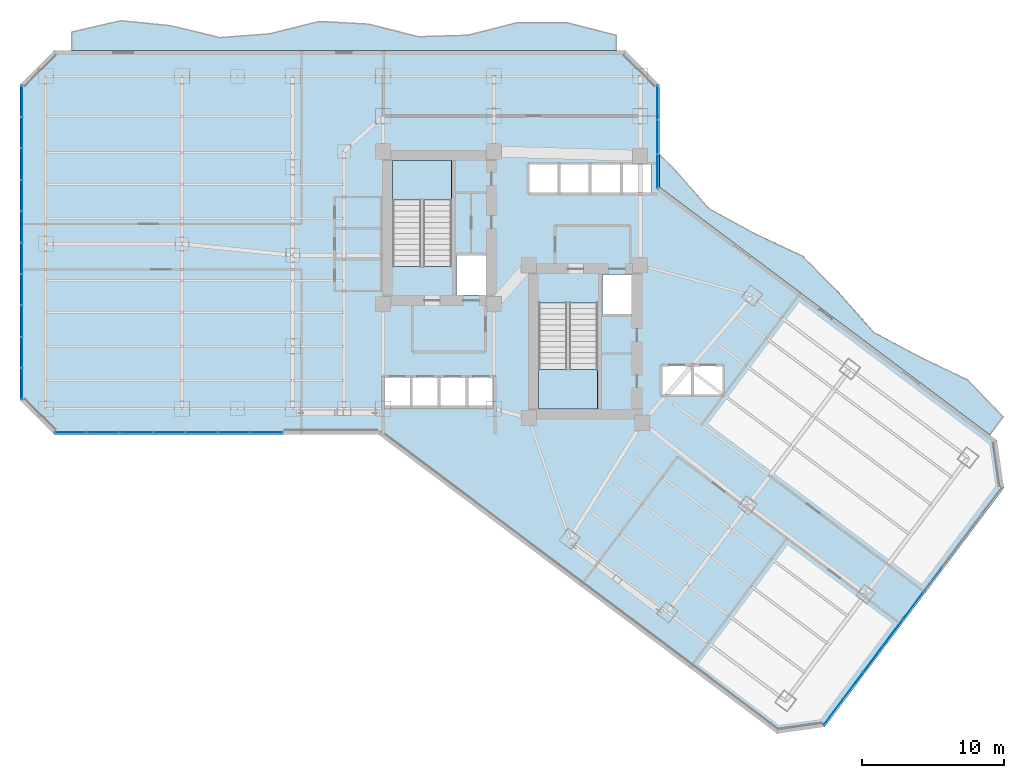
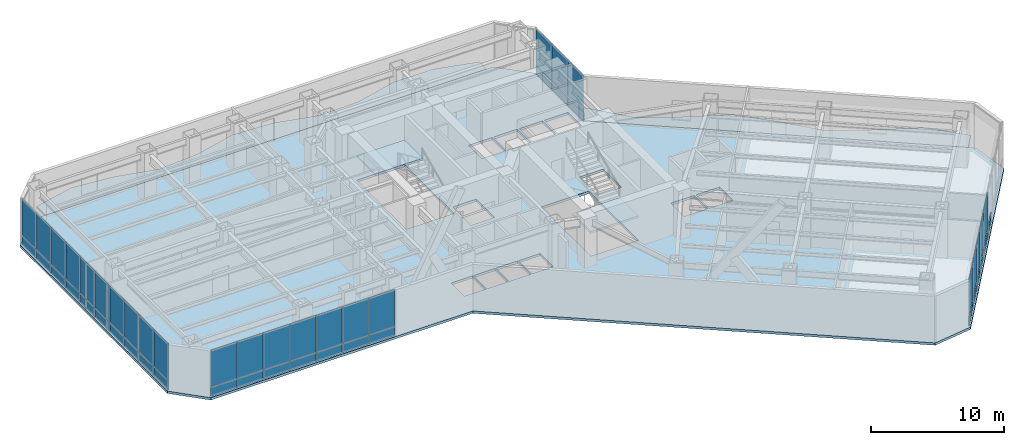
# One storey, part 18 of 29: 51 plates, 5 slabs, 6 elements without a shape of their own.
"""IFC4 building model written with IfcOpenShell, lengths in metres."""

from ifc_helpers import new_model, si_unit, direction, frame, origin, origin_2d, place, context, subcontext, project, spatial, polyline, rectangle, outline, extrude, material, layer, layer_set, type_object, element, aggregate, save


model = new_model("IFC4")

# Units and contexts
model_context = context("Model", 3, precision=1e-05, world=origin(), true_north=direction((0.0, 1.0)))
body_context = subcontext(model_context, "Body", "Model", "MODEL_VIEW")
ifc_project = project(units=[si_unit("LENGTHUNIT", "METRE"), si_unit("AREAUNIT", "SQUARE_METRE"), si_unit("VOLUMEUNIT", "CUBIC_METRE"), si_unit("PLANEANGLEUNIT", "RADIAN"), si_unit("MASSUNIT", "GRAM", prefix="KILO")], contexts=[model_context])

# Site, building, storey
site_placement = place(None, origin())
site = spatial("IfcSite", under=ifc_project, at=site_placement, CompositionType="ELEMENT")
building_placement = place(site_placement, origin())
building = spatial("IfcBuilding", under=site, at=building_placement, Name="Hatsunagi Terrace Concourse", CompositionType="ELEMENT")
storey_placement = place(building_placement, frame((0.0, 0.0, 32.10009765625)))
storey = spatial("IfcBuildingStorey", under=building, at=storey_placement, Name="L07", CompositionType="ELEMENT", Elevation=32.10009765625)

# Curtain wall, plates
ifc_material_1 = material(Name="Anodised Aluminium Alloy 6063-T5", Category="aluminium")
ifc_layer_1 = layer(ifc_material_1, 0.199951171875)
ifc_layer_set_1 = layer_set([ifc_layer_1], Name="SkyLobbyAtrium_CW05")
curtain_wall_type = type_object("IfcCurtainWallType", Name="SkyLobbyAtrium_CW05", PredefinedType="NOTDEFINED", material=ifc_layer_set_1)
curtain_wall_1_placement = place(storey_placement, origin())
curtain_wall_1 = element("IfcCurtainWall", 1, at=curtain_wall_1_placement, inside=storey, type_object=curtain_wall_type, Name="Unitised Curtain Wall CW-05 CW-L07-03", PredefinedType="NOTDEFINED")
ifc_material_2 = material(Name="Warm Terracotta Ceramic Spandrel Panel", Category="masonry")
ifc_layer_2 = layer(ifc_material_2, 0.031982421875)
ifc_layer_set_2 = layer_set([ifc_layer_2], Name="CurtainWallSpandrelPanel_32")
plate_type_1 = type_object("IfcPlateType", Name="CurtainWallSpandrelPanel_32", PredefinedType="SHEET", material=ifc_layer_set_2)
plate_1_placement = place(storey_placement, frame((64.219970703125, 13.159912109375, 0.02978515625), z_axis=(0.0, 0.0, 1.0), x_axis=(-0.599969314634, -0.800023013105, 0.0)))
plate_1 = element("IfcPlate", 2, at=plate_1_placement, type_object=plate_type_1, Name="Terracotta Spandrel Panel SPN-01", PredefinedType="SHEET", context=body_context, shape_type="SweptSolid", body=[
    extrude(rectangle(XDim=2.264892578125, YDim=0.031982421875, at=origin_2d()), origin(), (0.0, 0.0, 1.0), 0.7900390625),
])
plate_2_placement = place(storey_placement, frame((62.827880859375, 11.303955078125, 0.02978515625), z_axis=(0.0, 0.0, 1.0), x_axis=(-0.599969314634, -0.800023013105, 0.0)))
plate_2 = element("IfcPlate", 3, at=plate_2_placement, type_object=plate_type_1, Name="Terracotta Spandrel Panel SPN-01", PredefinedType="SHEET", context=body_context, shape_type="SweptSolid", body=[
    extrude(rectangle(XDim=2.264892578125, YDim=0.031982421875, at=origin_2d()), origin(), (0.0, 0.0, 1.0), 0.7900390625),
])
plate_3_placement = place(storey_placement, frame((61.43603515625, 9.447998046875, 0.02978515625), z_axis=(0.0, 0.0, 1.0), x_axis=(-0.599969314634, -0.800023013105, 0.0)))
plate_3 = element("IfcPlate", 4, at=plate_3_placement, type_object=plate_type_1, Name="Terracotta Spandrel Panel SPN-01", PredefinedType="SHEET", context=body_context, shape_type="SweptSolid", body=[
    extrude(rectangle(XDim=2.264892578125, YDim=0.031982421875, at=origin_2d()), origin(), (0.0, 0.0, 1.0), 0.7900390625),
])
plate_4_placement = place(storey_placement, frame((60.0439453125, 7.591064453125, 0.02978515625), z_axis=(0.0, 0.0, 1.0), x_axis=(-0.599969314634, -0.800023013105, 0.0)))
plate_4 = element("IfcPlate", 5, at=plate_4_placement, type_object=plate_type_1, Name="Terracotta Spandrel Panel SPN-01", PredefinedType="SHEET", context=body_context, shape_type="SweptSolid", body=[
    extrude(rectangle(XDim=2.264892578125, YDim=0.031982421875, at=origin_2d()), origin(), (0.0, 0.0, 1.0), 0.7900390625),
])
plate_5_placement = place(storey_placement, frame((58.65087890625, 5.735107421875, 0.02978515625), z_axis=(0.0, 0.0, 1.0), x_axis=(-0.599969314634, -0.800023013105, 0.0)))
plate_5 = element("IfcPlate", 6, at=plate_5_placement, type_object=plate_type_1, Name="Terracotta Spandrel Panel SPN-01", PredefinedType="SHEET", context=body_context, shape_type="SweptSolid", body=[
    extrude(rectangle(XDim=2.264892578125, YDim=0.031982421875, at=origin_2d()), origin(), (0.0, 0.0, 1.0), 0.7900390625),
])
plate_6_placement = place(storey_placement, frame((57.259033203125, 3.8779296875, 0.02978515625), z_axis=(0.0, 0.0, 1.0), x_axis=(-0.599969314634, -0.800023013105, 0.0)))
plate_6 = element("IfcPlate", 7, at=plate_6_placement, type_object=plate_type_1, Name="Terracotta Spandrel Panel SPN-01", PredefinedType="SHEET", context=body_context, shape_type="SweptSolid", body=[
    extrude(rectangle(XDim=2.264892578125, YDim=0.031982421875, at=origin_2d()), origin(), (0.0, 0.0, 1.0), 0.7900390625),
])

curtain_wall_2_placement = place(storey_placement, origin())
curtain_wall_2 = element("IfcCurtainWall", 8, at=curtain_wall_2_placement, inside=storey, type_object=curtain_wall_type, Name="Unitised Curtain Wall CW-05 CW-L07-07", PredefinedType="NOTDEFINED")
plate_7_placement = place(storey_placement, frame((17.35400390625, 23.5400390625, 0.02978515625), z_axis=(0.0, 0.0, 1.0), x_axis=(-1.0, 0.0, 0.0)))
plate_7 = element("IfcPlate", 9, at=plate_7_placement, type_object=plate_type_1, Name="Terracotta Spandrel Panel SPN-01", PredefinedType="SHEET", context=body_context, shape_type="SweptSolid", body=[
    extrude(rectangle(XDim=2.237060546875, YDim=0.031982421875, at=origin_2d()), origin(), (0.0, 0.0, 1.0), 0.7900390625),
])
plate_8_placement = place(storey_placement, frame((15.06201171875, 23.5400390625, 0.02978515625), z_axis=(0.0, 0.0, 1.0), x_axis=(-1.0, 0.0, 0.0)))
plate_8 = element("IfcPlate", 10, at=plate_8_placement, type_object=plate_type_1, Name="Terracotta Spandrel Panel SPN-01", PredefinedType="SHEET", context=body_context, shape_type="SweptSolid", body=[
    extrude(rectangle(XDim=2.237060546875, YDim=0.031982421875, at=origin_2d()), origin(), (0.0, 0.0, 1.0), 0.7900390625),
])
plate_9_placement = place(storey_placement, frame((12.77099609375, 23.5400390625, 0.02978515625), z_axis=(0.0, 0.0, 1.0), x_axis=(-1.0, 0.0, 0.0)))
plate_9 = element("IfcPlate", 11, at=plate_9_placement, type_object=plate_type_1, Name="Terracotta Spandrel Panel SPN-01", PredefinedType="SHEET", context=body_context, shape_type="SweptSolid", body=[
    extrude(rectangle(XDim=2.237060546875, YDim=0.031982421875, at=origin_2d()), origin(), (0.0, 0.0, 1.0), 0.7900390625),
])
plate_10_placement = place(storey_placement, frame((10.47900390625, 23.5400390625, 0.02978515625), z_axis=(0.0, 0.0, 1.0), x_axis=(-1.0, 0.0, 0.0)))
plate_10 = element("IfcPlate", 12, at=plate_10_placement, type_object=plate_type_1, Name="Terracotta Spandrel Panel SPN-01", PredefinedType="SHEET", context=body_context, shape_type="SweptSolid", body=[
    extrude(rectangle(XDim=2.237060546875, YDim=0.031982421875, at=origin_2d()), origin(), (0.0, 0.0, 1.0), 0.7900390625),
])
plate_11_placement = place(storey_placement, frame((8.18701171875, 23.5400390625, 0.02978515625), z_axis=(0.0, 0.0, 1.0), x_axis=(-1.0, 0.0, 0.0)))
plate_11 = element("IfcPlate", 13, at=plate_11_placement, type_object=plate_type_1, Name="Terracotta Spandrel Panel SPN-01", PredefinedType="SHEET", context=body_context, shape_type="SweptSolid", body=[
    extrude(rectangle(XDim=2.237060546875, YDim=0.031982421875, at=origin_2d()), origin(), (0.0, 0.0, 1.0), 0.7900390625),
])
plate_12_placement = place(storey_placement, frame((5.89599609375, 23.5400390625, 0.02978515625), z_axis=(0.0, 0.0, 1.0), x_axis=(-1.0, 0.0, 0.0)))
plate_12 = element("IfcPlate", 14, at=plate_12_placement, type_object=plate_type_1, Name="Terracotta Spandrel Panel SPN-01", PredefinedType="SHEET", context=body_context, shape_type="SweptSolid", body=[
    extrude(rectangle(XDim=2.237060546875, YDim=0.031982421875, at=origin_2d()), origin(), (0.0, 0.0, 1.0), 0.7900390625),
])
plate_13_placement = place(storey_placement, frame((3.60400390625, 23.5400390625, 0.02978515625), z_axis=(0.0, 0.0, 1.0), x_axis=(-1.0, 0.0, 0.0)))
plate_13 = element("IfcPlate", 15, at=plate_13_placement, type_object=plate_type_1, Name="Terracotta Spandrel Panel SPN-01", PredefinedType="SHEET", context=body_context, shape_type="SweptSolid", body=[
    extrude(rectangle(XDim=2.237060546875, YDim=0.031982421875, at=origin_2d()), origin(), (0.0, 0.0, 1.0), 0.7900390625),
])

curtain_wall_3_placement = place(storey_placement, origin())
curtain_wall_3 = element("IfcCurtainWall", 16, at=curtain_wall_3_placement, inside=storey, type_object=curtain_wall_type, Name="Unitised Curtain Wall CW-05 CW-L07-09", PredefinedType="NOTDEFINED")
plate_14_placement = place(storey_placement, frame((0.139892578125, 26.9619140625, 0.02978515625), z_axis=(0.0, 0.0, 1.0), x_axis=(0.0, 1.0, 0.0)))
plate_14 = element("IfcPlate", 17, at=plate_14_placement, type_object=plate_type_1, Name="Terracotta Spandrel Panel SPN-01", PredefinedType="SHEET", context=body_context, shape_type="SweptSolid", body=[
    extrude(rectangle(XDim=2.153076171875, YDim=0.031982421875, at=origin_2d()), origin(), (0.0, 0.0, 1.0), 0.7900390625),
])
plate_15_placement = place(storey_placement, frame((0.139892578125, 29.1708984375, 0.02978515625), z_axis=(0.0, 0.0, 1.0), x_axis=(0.0, 1.0, 0.0)))
plate_15 = element("IfcPlate", 18, at=plate_15_placement, type_object=plate_type_1, Name="Terracotta Spandrel Panel SPN-01", PredefinedType="SHEET", context=body_context, shape_type="SweptSolid", body=[
    extrude(rectangle(XDim=2.153076171875, YDim=0.031982421875, at=origin_2d()), origin(), (0.0, 0.0, 1.0), 0.7900390625),
])
plate_16_placement = place(storey_placement, frame((0.139892578125, 31.37890625, 0.02978515625), z_axis=(0.0, 0.0, 1.0), x_axis=(0.0, 1.0, 0.0)))
plate_16 = element("IfcPlate", 19, at=plate_16_placement, type_object=plate_type_1, Name="Terracotta Spandrel Panel SPN-01", PredefinedType="SHEET", context=body_context, shape_type="SweptSolid", body=[
    extrude(rectangle(XDim=2.153076171875, YDim=0.031982421875, at=origin_2d()), origin(), (0.0, 0.0, 1.0), 0.7900390625),
])
plate_17_placement = place(storey_placement, frame((0.139892578125, 33.5869140625, 0.02978515625), z_axis=(0.0, 0.0, 1.0), x_axis=(0.0, 1.0, 0.0)))
plate_17 = element("IfcPlate", 20, at=plate_17_placement, type_object=plate_type_1, Name="Terracotta Spandrel Panel SPN-01", PredefinedType="SHEET", context=body_context, shape_type="SweptSolid", body=[
    extrude(rectangle(XDim=2.153076171875, YDim=0.031982421875, at=origin_2d()), origin(), (0.0, 0.0, 1.0), 0.7900390625),
])
plate_18_placement = place(storey_placement, frame((0.139892578125, 35.7958984375, 0.02978515625), z_axis=(0.0, 0.0, 1.0), x_axis=(0.0, 1.0, 0.0)))
plate_18 = element("IfcPlate", 21, at=plate_18_placement, type_object=plate_type_1, Name="Terracotta Spandrel Panel SPN-01", PredefinedType="SHEET", context=body_context, shape_type="SweptSolid", body=[
    extrude(rectangle(XDim=2.153076171875, YDim=0.031982421875, at=origin_2d()), origin(), (0.0, 0.0, 1.0), 0.7900390625),
])
plate_19_placement = place(storey_placement, frame((0.139892578125, 38.00390625, 0.02978515625), z_axis=(0.0, 0.0, 1.0), x_axis=(0.0, 1.0, 0.0)))
plate_19 = element("IfcPlate", 22, at=plate_19_placement, type_object=plate_type_1, Name="Terracotta Spandrel Panel SPN-01", PredefinedType="SHEET", context=body_context, shape_type="SweptSolid", body=[
    extrude(rectangle(XDim=2.153076171875, YDim=0.031982421875, at=origin_2d()), origin(), (0.0, 0.0, 1.0), 0.7900390625),
])
plate_20_placement = place(storey_placement, frame((0.139892578125, 40.212890625, 0.02978515625), z_axis=(0.0, 0.0, 1.0), x_axis=(0.0, 1.0, 0.0)))
plate_20 = element("IfcPlate", 23, at=plate_20_placement, type_object=plate_type_1, Name="Terracotta Spandrel Panel SPN-01", PredefinedType="SHEET", context=body_context, shape_type="SweptSolid", body=[
    extrude(rectangle(XDim=2.153076171875, YDim=0.031982421875, at=origin_2d()), origin(), (0.0, 0.0, 1.0), 0.7900390625),
])
plate_21_placement = place(storey_placement, frame((0.139892578125, 42.4208984375, 0.02978515625), z_axis=(0.0, 0.0, 1.0), x_axis=(0.0, 1.0, 0.0)))
plate_21 = element("IfcPlate", 24, at=plate_21_placement, type_object=plate_type_1, Name="Terracotta Spandrel Panel SPN-01", PredefinedType="SHEET", context=body_context, shape_type="SweptSolid", body=[
    extrude(rectangle(XDim=2.153076171875, YDim=0.031982421875, at=origin_2d()), origin(), (0.0, 0.0, 1.0), 0.7900390625),
])
plate_22_placement = place(storey_placement, frame((0.139892578125, 44.62890625, 0.02978515625), z_axis=(0.0, 0.0, 1.0), x_axis=(0.0, 1.0, 0.0)))
plate_22 = element("IfcPlate", 25, at=plate_22_placement, type_object=plate_type_1, Name="Terracotta Spandrel Panel SPN-01", PredefinedType="SHEET", context=body_context, shape_type="SweptSolid", body=[
    extrude(rectangle(XDim=2.153076171875, YDim=0.031982421875, at=origin_2d()), origin(), (0.0, 0.0, 1.0), 0.7900390625),
])
plate_23_placement = place(storey_placement, frame((0.139892578125, 46.837890625, 0.02978515625), z_axis=(0.0, 0.0, 1.0), x_axis=(0.0, 1.0, 0.0)))
plate_23 = element("IfcPlate", 26, at=plate_23_placement, type_object=plate_type_1, Name="Terracotta Spandrel Panel SPN-01", PredefinedType="SHEET", context=body_context, shape_type="SweptSolid", body=[
    extrude(rectangle(XDim=2.153076171875, YDim=0.031982421875, at=origin_2d()), origin(), (0.0, 0.0, 1.0), 0.7900390625),
])

curtain_wall_4_placement = place(storey_placement, origin())
curtain_wall_4 = element("IfcCurtainWall", 27, at=curtain_wall_4_placement, inside=storey, type_object=curtain_wall_type, Name="Unitised Curtain Wall CW-05 CW-L07-13", PredefinedType="NOTDEFINED")
plate_24_placement = place(storey_placement, frame((44.860107421875, 46.739990234375, 0.02978515625), z_axis=(0.0, 0.0, 1.0), x_axis=(0.0, -1.0, 0.0)))
plate_24 = element("IfcPlate", 28, at=plate_24_placement, type_object=plate_type_1, Name="Terracotta Spandrel Panel SPN-01", PredefinedType="SHEET", context=body_context, shape_type="SweptSolid", body=[
    extrude(rectangle(XDim=2.34912109375, YDim=0.031982421875, at=origin_2d()), origin(), (0.0, 0.0, 1.0), 0.7900390625),
])
plate_25_placement = place(storey_placement, frame((44.860107421875, 44.3359375, 0.02978515625), z_axis=(0.0, 0.0, 1.0), x_axis=(0.0, -1.0, 0.0)))
plate_25 = element("IfcPlate", 29, at=plate_25_placement, type_object=plate_type_1, Name="Terracotta Spandrel Panel SPN-01", PredefinedType="SHEET", context=body_context, shape_type="SweptSolid", body=[
    extrude(rectangle(XDim=2.34912109375, YDim=0.031982421875, at=origin_2d()), origin(), (0.0, 0.0, 1.0), 0.7900390625),
])
plate_26_placement = place(storey_placement, frame((44.860107421875, 41.931884765625, 0.02978515625), z_axis=(0.0, 0.0, 1.0), x_axis=(0.0, -1.0, 0.0)))
plate_26 = element("IfcPlate", 30, at=plate_26_placement, type_object=plate_type_1, Name="Terracotta Spandrel Panel SPN-01", PredefinedType="SHEET", context=body_context, shape_type="SweptSolid", body=[
    extrude(rectangle(XDim=2.34912109375, YDim=0.031982421875, at=origin_2d()), origin(), (0.0, 0.0, 1.0), 0.7900390625),
])

# Plate
ifc_material_3 = material(Name="Low-E Double Insulating Glass 28mm", Category="glass")
ifc_layer_3 = layer(ifc_material_3, 0.028076171875)
ifc_layer_set_3 = layer_set([ifc_layer_3], Name="CurtainWallVisionGlass_28")
plate_type_2 = type_object("IfcPlateType", Name="CurtainWallVisionGlass_28", PredefinedType="CURTAIN_PANEL", material=ifc_layer_set_3)
plate_27_placement = place(storey_placement, frame((62.827880859375, 11.303955078125, 0.8798828125), z_axis=(0.0, 0.0, 1.0), x_axis=(-0.599969314634, -0.800023013105, 0.0)))
plate_27 = element("IfcPlate", 31, at=plate_27_placement, type_object=plate_type_2, Name="Low-E Vision Glass Panel GLZ-01", PredefinedType="CURTAIN_PANEL", context=body_context, shape_type="SweptSolid", body=[
    extrude(rectangle(XDim=2.264892578125, YDim=0.028076171875, at=origin_2d()), origin(), (0.0, 0.0, 1.0), 3.3701171875),
])

plate_28_placement = place(storey_placement, frame((61.43603515625, 9.447998046875, 0.8798828125), z_axis=(0.0, 0.0, 1.0), x_axis=(-0.599969314634, -0.800023013105, 0.0)))
plate_28 = element("IfcPlate", 32, at=plate_28_placement, type_object=plate_type_2, Name="Low-E Vision Glass Panel GLZ-01", PredefinedType="CURTAIN_PANEL", context=body_context, shape_type="SweptSolid", body=[
    extrude(rectangle(XDim=2.264892578125, YDim=0.028076171875, at=origin_2d()), origin(), (0.0, 0.0, 1.0), 3.3701171875),
])

plate_29_placement = place(storey_placement, frame((60.0439453125, 7.591064453125, 0.8798828125), z_axis=(0.0, 0.0, 1.0), x_axis=(-0.599969314634, -0.800023013105, 0.0)))
plate_29 = element("IfcPlate", 33, at=plate_29_placement, type_object=plate_type_2, Name="Low-E Vision Glass Panel GLZ-01", PredefinedType="CURTAIN_PANEL", context=body_context, shape_type="SweptSolid", body=[
    extrude(rectangle(XDim=2.264892578125, YDim=0.028076171875, at=origin_2d()), origin(), (0.0, 0.0, 1.0), 3.3701171875),
])

plate_30_placement = place(storey_placement, frame((58.65087890625, 5.735107421875, 0.8798828125), z_axis=(0.0, 0.0, 1.0), x_axis=(-0.599969314634, -0.800023013105, 0.0)))
plate_30 = element("IfcPlate", 34, at=plate_30_placement, type_object=plate_type_2, Name="Low-E Vision Glass Panel GLZ-01", PredefinedType="CURTAIN_PANEL", context=body_context, shape_type="SweptSolid", body=[
    extrude(rectangle(XDim=2.264892578125, YDim=0.028076171875, at=origin_2d()), origin(), (0.0, 0.0, 1.0), 3.3701171875),
])

plate_31_placement = place(storey_placement, frame((57.259033203125, 3.8779296875, 0.8798828125), z_axis=(0.0, 0.0, 1.0), x_axis=(-0.599969314634, -0.800023013105, 0.0)))
plate_31 = element("IfcPlate", 35, at=plate_31_placement, type_object=plate_type_2, Name="Low-E Vision Glass Panel GLZ-01", PredefinedType="CURTAIN_PANEL", context=body_context, shape_type="SweptSolid", body=[
    extrude(rectangle(XDim=2.264892578125, YDim=0.028076171875, at=origin_2d()), origin(), (0.0, 0.0, 1.0), 3.3701171875),
])

aggregate(curtain_wall_1, [plate_1, plate_2, plate_27, plate_3, plate_28, plate_4, plate_29, plate_5, plate_30, plate_6, plate_31])

plate_32_placement = place(storey_placement, frame((17.35400390625, 23.5400390625, 0.8798828125), z_axis=(0.0, 0.0, 1.0), x_axis=(-1.0, 0.0, 0.0)))
plate_32 = element("IfcPlate", 36, at=plate_32_placement, type_object=plate_type_2, Name="Low-E Vision Glass Panel GLZ-01", PredefinedType="CURTAIN_PANEL", context=body_context, shape_type="SweptSolid", body=[
    extrude(rectangle(XDim=2.237060546875, YDim=0.028076171875, at=origin_2d()), origin(), (0.0, 0.0, 1.0), 3.3701171875),
])

plate_33_placement = place(storey_placement, frame((15.06201171875, 23.5400390625, 0.8798828125), z_axis=(0.0, 0.0, 1.0), x_axis=(-1.0, 0.0, 0.0)))
plate_33 = element("IfcPlate", 37, at=plate_33_placement, type_object=plate_type_2, Name="Low-E Vision Glass Panel GLZ-01", PredefinedType="CURTAIN_PANEL", context=body_context, shape_type="SweptSolid", body=[
    extrude(rectangle(XDim=2.237060546875, YDim=0.028076171875, at=origin_2d()), origin(), (0.0, 0.0, 1.0), 3.3701171875),
])

plate_34_placement = place(storey_placement, frame((12.77099609375, 23.5400390625, 0.8798828125), z_axis=(0.0, 0.0, 1.0), x_axis=(-1.0, 0.0, 0.0)))
plate_34 = element("IfcPlate", 38, at=plate_34_placement, type_object=plate_type_2, Name="Low-E Vision Glass Panel GLZ-01", PredefinedType="CURTAIN_PANEL", context=body_context, shape_type="SweptSolid", body=[
    extrude(rectangle(XDim=2.237060546875, YDim=0.028076171875, at=origin_2d()), origin(), (0.0, 0.0, 1.0), 3.3701171875),
])

plate_35_placement = place(storey_placement, frame((10.47900390625, 23.5400390625, 0.8798828125), z_axis=(0.0, 0.0, 1.0), x_axis=(-1.0, 0.0, 0.0)))
plate_35 = element("IfcPlate", 39, at=plate_35_placement, type_object=plate_type_2, Name="Low-E Vision Glass Panel GLZ-01", PredefinedType="CURTAIN_PANEL", context=body_context, shape_type="SweptSolid", body=[
    extrude(rectangle(XDim=2.237060546875, YDim=0.028076171875, at=origin_2d()), origin(), (0.0, 0.0, 1.0), 3.3701171875),
])

plate_36_placement = place(storey_placement, frame((8.18701171875, 23.5400390625, 0.8798828125), z_axis=(0.0, 0.0, 1.0), x_axis=(-1.0, 0.0, 0.0)))
plate_36 = element("IfcPlate", 40, at=plate_36_placement, type_object=plate_type_2, Name="Low-E Vision Glass Panel GLZ-01", PredefinedType="CURTAIN_PANEL", context=body_context, shape_type="SweptSolid", body=[
    extrude(rectangle(XDim=2.237060546875, YDim=0.028076171875, at=origin_2d()), origin(), (0.0, 0.0, 1.0), 3.3701171875),
])

plate_37_placement = place(storey_placement, frame((5.89599609375, 23.5400390625, 0.8798828125), z_axis=(0.0, 0.0, 1.0), x_axis=(-1.0, 0.0, 0.0)))
plate_37 = element("IfcPlate", 41, at=plate_37_placement, type_object=plate_type_2, Name="Low-E Vision Glass Panel GLZ-01", PredefinedType="CURTAIN_PANEL", context=body_context, shape_type="SweptSolid", body=[
    extrude(rectangle(XDim=2.237060546875, YDim=0.028076171875, at=origin_2d()), origin(), (0.0, 0.0, 1.0), 3.3701171875),
])

plate_38_placement = place(storey_placement, frame((3.60400390625, 23.5400390625, 0.8798828125), z_axis=(0.0, 0.0, 1.0), x_axis=(-1.0, 0.0, 0.0)))
plate_38 = element("IfcPlate", 42, at=plate_38_placement, type_object=plate_type_2, Name="Low-E Vision Glass Panel GLZ-01", PredefinedType="CURTAIN_PANEL", context=body_context, shape_type="SweptSolid", body=[
    extrude(rectangle(XDim=2.237060546875, YDim=0.028076171875, at=origin_2d()), origin(), (0.0, 0.0, 1.0), 3.3701171875),
])

aggregate(curtain_wall_2, [plate_7, plate_32, plate_8, plate_33, plate_9, plate_34, plate_10, plate_35, plate_11, plate_36, plate_12, plate_37, plate_13, plate_38])

plate_39_placement = place(storey_placement, frame((0.139892578125, 26.9619140625, 0.8798828125), z_axis=(0.0, 0.0, 1.0), x_axis=(0.0, 1.0, 0.0)))
plate_39 = element("IfcPlate", 43, at=plate_39_placement, type_object=plate_type_2, Name="Low-E Vision Glass Panel GLZ-01", PredefinedType="CURTAIN_PANEL", context=body_context, shape_type="SweptSolid", body=[
    extrude(rectangle(XDim=2.153076171875, YDim=0.028076171875, at=origin_2d()), origin(), (0.0, 0.0, 1.0), 3.3701171875),
])

plate_40_placement = place(storey_placement, frame((0.139892578125, 29.1708984375, 0.8798828125), z_axis=(0.0, 0.0, 1.0), x_axis=(0.0, 1.0, 0.0)))
plate_40 = element("IfcPlate", 44, at=plate_40_placement, type_object=plate_type_2, Name="Low-E Vision Glass Panel GLZ-01", PredefinedType="CURTAIN_PANEL", context=body_context, shape_type="SweptSolid", body=[
    extrude(rectangle(XDim=2.153076171875, YDim=0.028076171875, at=origin_2d()), origin(), (0.0, 0.0, 1.0), 3.3701171875),
])

plate_41_placement = place(storey_placement, frame((0.139892578125, 31.37890625, 0.8798828125), z_axis=(0.0, 0.0, 1.0), x_axis=(0.0, 1.0, 0.0)))
plate_41 = element("IfcPlate", 45, at=plate_41_placement, type_object=plate_type_2, Name="Low-E Vision Glass Panel GLZ-01", PredefinedType="CURTAIN_PANEL", context=body_context, shape_type="SweptSolid", body=[
    extrude(rectangle(XDim=2.153076171875, YDim=0.028076171875, at=origin_2d()), origin(), (0.0, 0.0, 1.0), 3.3701171875),
])

plate_42_placement = place(storey_placement, frame((0.139892578125, 33.5869140625, 0.8798828125), z_axis=(0.0, 0.0, 1.0), x_axis=(0.0, 1.0, 0.0)))
plate_42 = element("IfcPlate", 46, at=plate_42_placement, type_object=plate_type_2, Name="Low-E Vision Glass Panel GLZ-01", PredefinedType="CURTAIN_PANEL", context=body_context, shape_type="SweptSolid", body=[
    extrude(rectangle(XDim=2.153076171875, YDim=0.028076171875, at=origin_2d()), origin(), (0.0, 0.0, 1.0), 3.3701171875),
])

plate_43_placement = place(storey_placement, frame((0.139892578125, 35.7958984375, 0.8798828125), z_axis=(0.0, 0.0, 1.0), x_axis=(0.0, 1.0, 0.0)))
plate_43 = element("IfcPlate", 47, at=plate_43_placement, type_object=plate_type_2, Name="Low-E Vision Glass Panel GLZ-01", PredefinedType="CURTAIN_PANEL", context=body_context, shape_type="SweptSolid", body=[
    extrude(rectangle(XDim=2.153076171875, YDim=0.028076171875, at=origin_2d()), origin(), (0.0, 0.0, 1.0), 3.3701171875),
])

plate_44_placement = place(storey_placement, frame((0.139892578125, 38.00390625, 0.8798828125), z_axis=(0.0, 0.0, 1.0), x_axis=(0.0, 1.0, 0.0)))
plate_44 = element("IfcPlate", 48, at=plate_44_placement, type_object=plate_type_2, Name="Low-E Vision Glass Panel GLZ-01", PredefinedType="CURTAIN_PANEL", context=body_context, shape_type="SweptSolid", body=[
    extrude(rectangle(XDim=2.153076171875, YDim=0.028076171875, at=origin_2d()), origin(), (0.0, 0.0, 1.0), 3.3701171875),
])

plate_45_placement = place(storey_placement, frame((0.139892578125, 40.212890625, 0.8798828125), z_axis=(0.0, 0.0, 1.0), x_axis=(0.0, 1.0, 0.0)))
plate_45 = element("IfcPlate", 49, at=plate_45_placement, type_object=plate_type_2, Name="Low-E Vision Glass Panel GLZ-01", PredefinedType="CURTAIN_PANEL", context=body_context, shape_type="SweptSolid", body=[
    extrude(rectangle(XDim=2.153076171875, YDim=0.028076171875, at=origin_2d()), origin(), (0.0, 0.0, 1.0), 3.3701171875),
])

plate_46_placement = place(storey_placement, frame((0.139892578125, 42.4208984375, 0.8798828125), z_axis=(0.0, 0.0, 1.0), x_axis=(0.0, 1.0, 0.0)))
plate_46 = element("IfcPlate", 50, at=plate_46_placement, type_object=plate_type_2, Name="Low-E Vision Glass Panel GLZ-01", PredefinedType="CURTAIN_PANEL", context=body_context, shape_type="SweptSolid", body=[
    extrude(rectangle(XDim=2.153076171875, YDim=0.028076171875, at=origin_2d()), origin(), (0.0, 0.0, 1.0), 3.3701171875),
])

plate_47_placement = place(storey_placement, frame((0.139892578125, 44.62890625, 0.8798828125), z_axis=(0.0, 0.0, 1.0), x_axis=(0.0, 1.0, 0.0)))
plate_47 = element("IfcPlate", 51, at=plate_47_placement, type_object=plate_type_2, Name="Low-E Vision Glass Panel GLZ-01", PredefinedType="CURTAIN_PANEL", context=body_context, shape_type="SweptSolid", body=[
    extrude(rectangle(XDim=2.153076171875, YDim=0.028076171875, at=origin_2d()), origin(), (0.0, 0.0, 1.0), 3.3701171875),
])

plate_48_placement = place(storey_placement, frame((0.139892578125, 46.837890625, 0.8798828125), z_axis=(0.0, 0.0, 1.0), x_axis=(0.0, 1.0, 0.0)))
plate_48 = element("IfcPlate", 52, at=plate_48_placement, type_object=plate_type_2, Name="Low-E Vision Glass Panel GLZ-01", PredefinedType="CURTAIN_PANEL", context=body_context, shape_type="SweptSolid", body=[
    extrude(rectangle(XDim=2.153076171875, YDim=0.028076171875, at=origin_2d()), origin(), (0.0, 0.0, 1.0), 3.3701171875),
])

aggregate(curtain_wall_3, [plate_14, plate_39, plate_15, plate_40, plate_16, plate_41, plate_17, plate_42, plate_18, plate_43, plate_19, plate_44, plate_20, plate_45, plate_21, plate_46, plate_22, plate_47, plate_23, plate_48])

plate_49_placement = place(storey_placement, frame((44.860107421875, 46.739990234375, 0.8798828125), z_axis=(0.0, 0.0, 1.0), x_axis=(0.0, -1.0, 0.0)))
plate_49 = element("IfcPlate", 53, at=plate_49_placement, type_object=plate_type_2, Name="Low-E Vision Glass Panel GLZ-01", PredefinedType="CURTAIN_PANEL", context=body_context, shape_type="SweptSolid", body=[
    extrude(rectangle(XDim=2.34912109375, YDim=0.028076171875, at=origin_2d()), origin(), (0.0, 0.0, 1.0), 3.3701171875),
])

plate_50_placement = place(storey_placement, frame((44.860107421875, 44.3359375, 0.8798828125), z_axis=(0.0, 0.0, 1.0), x_axis=(0.0, -1.0, 0.0)))
plate_50 = element("IfcPlate", 54, at=plate_50_placement, type_object=plate_type_2, Name="Low-E Vision Glass Panel GLZ-01", PredefinedType="CURTAIN_PANEL", context=body_context, shape_type="SweptSolid", body=[
    extrude(rectangle(XDim=2.34912109375, YDim=0.028076171875, at=origin_2d()), origin(), (0.0, 0.0, 1.0), 3.3701171875),
])

plate_51_placement = place(storey_placement, frame((44.860107421875, 41.931884765625, 0.8798828125), z_axis=(0.0, 0.0, 1.0), x_axis=(0.0, -1.0, 0.0)))
plate_51 = element("IfcPlate", 55, at=plate_51_placement, type_object=plate_type_2, Name="Low-E Vision Glass Panel GLZ-01", PredefinedType="CURTAIN_PANEL", context=body_context, shape_type="SweptSolid", body=[
    extrude(rectangle(XDim=2.34912109375, YDim=0.028076171875, at=origin_2d()), origin(), (0.0, 0.0, 1.0), 3.3701171875),
])

aggregate(curtain_wall_4, [plate_24, plate_49, plate_25, plate_50, plate_26, plate_51])

# Stair, slab
ifc_material_4 = material(Name="Concrete Fc42", Category="concrete")
stair_type = type_object("IfcStairType", Name="DoglegExitStair_Tower2000_26R_173", PredefinedType="HALF_TURN_STAIR", material=ifc_material_4)
stair_1_placement = place(storey_placement, origin())
stair_1 = element("IfcStair", 56, at=stair_1_placement, inside=storey, type_object=stair_type, Name="L07 Core A Protected Exit Stair ST-A", PredefinedType="HALF_TURN_STAIR")
ifc_material_5 = material(Name="Concrete Fc42", Category="concrete")
ifc_layer_4 = layer(ifc_material_5, 0.199951171875)
ifc_layer_set_4 = layer_set([ifc_layer_4], Name="DoglegStairLanding_Tower2000")
slab_type_1 = type_object("IfcSlabType", Name="DoglegStairLanding_Tower2000", PredefinedType="LANDING", material=ifc_layer_set_4)
slab_1_placement = place(storey_placement, frame((0.0, 0.0, 2.0498046875)))
slab_1 = element("IfcSlab", 57, at=slab_1_placement, type_object=slab_type_1, Name="ST-A landing 1", PredefinedType="LANDING", context=body_context, shape_type="SweptSolid", body=[
    extrude(outline(polyline([(30.3798828125, 39.8798828125), (30.3798828125, 42.659912109375), (26.22998046875, 42.659912109375), (26.22998046875, 39.8798828125), (30.3798828125, 39.8798828125)])), origin(), (0.0, 0.0, 1.0), 0.2001953125),
])
aggregate(stair_1, [slab_1])

stair_2_placement = place(storey_placement, origin())
stair_2 = element("IfcStair", 58, at=stair_2_placement, inside=storey, type_object=stair_type, Name="L07 Core B Protected Exit Stair ST-B", PredefinedType="HALF_TURN_STAIR")
slab_2_placement = place(storey_placement, frame((0.0, 0.0, 2.0498046875)))
slab_2 = element("IfcSlab", 59, at=slab_2_placement, type_object=slab_type_1, Name="ST-B landing 1", PredefinedType="LANDING", context=body_context, shape_type="SweptSolid", body=[
    extrude(outline(polyline([(36.5, 27.97998046875), (36.5, 25.199951171875), (40.64990234375, 25.199951171875), (40.64990234375, 27.97998046875), (36.5, 27.97998046875)])), origin(), (0.0, 0.0, 1.0), 0.2001953125),
])
aggregate(stair_2, [slab_2])

# Slabs
ifc_material_6 = material(Name="Concrete Fc42", Category="concrete")
ifc_layer_5 = layer(ifc_material_6, 0.199951171875)
ifc_layer_set_5 = layer_set([ifc_layer_5], Name="EngawaBalconySlab_Fc42_200")
slab_type_2 = type_object("IfcSlabType", Name="EngawaBalconySlab_Fc42_200", PredefinedType="FLOOR", material=ifc_layer_set_5)
slab_3_placement = place(storey_placement, frame((0.0, 0.0, -0.2001953125)))
element("IfcSlab", 60, at=slab_3_placement, inside=storey, type_object=slab_type_2, Name="Engawa Balcony Slab BAL-L07-BN", PredefinedType="FLOOR", context=body_context, shape_type="SweptSolid", body=[
    extrude(outline(polyline([(3.60009765625, 51.7490234375), (3.60009765625, 50.39990234375), (42.0, 50.39990234375), (42.0, 51.514892578125), (38.509033203125, 52.412109375), (35.01806640625, 52.428955078125), (31.527099609375, 51.533935546875), (28.035888671875, 51.431884765625), (24.544921875, 52.31689453125), (21.054931640625, 52.5029296875), (17.56396484375, 51.635986328125), (14.072998046875, 51.366943359375), (10.58203125, 52.208984375), (7.091064453125, 52.55810546875), (3.60009765625, 51.7490234375)])), origin(), (0.0, 0.0, 1.0), 0.2001953125),
])
slab_4_placement = place(storey_placement, frame((0.0, 0.0, -0.2001953125)))
element("IfcSlab", 61, at=slab_4_placement, inside=storey, type_object=slab_type_2, Name="Engawa Balcony Slab BAL-L07-BSE", PredefinedType="FLOOR", context=body_context, shape_type="SweptSolid", body=[
    extrude(outline(polyline([(46.0390625, 42.1298828125), (44.99609375, 43.159912109375), (44.99609375, 40.802978515625), (68.280029296875, 23.340087890625), (69.2470703125, 24.6298828125), (66.69091796875, 27.277099609375), (63.347900390625, 28.875), (60.10400390625, 30.60498046875), (57.64306640625, 33.3798828125), (55.06103515625, 35.992919921875), (51.698974609375, 37.56494140625), (48.48095703125, 39.330078125), (46.0390625, 42.1298828125)])), origin(), (0.0, 0.0, 1.0), 0.2001953125),
])
ifc_material_7 = material(Name="Concrete Fc42", Category="concrete")
ifc_layer_6 = layer(ifc_material_7, 0.219970703125)
ifc_layer_set_6 = layer_set([ifc_layer_6], Name="HotelFloorSlab_Fc42_220")
slab_type_3 = type_object("IfcSlabType", Name="HotelFloorSlab_Fc42_220", PredefinedType="FLOOR", material=ifc_layer_set_6)
slab_5_placement = place(storey_placement, frame((0.0, 0.0, -0.22021484375)))
element("IfcSlab", 62, at=slab_5_placement, inside=storey, type_object=slab_type_3, Name="Floor Slab SL-220 L07", PredefinedType="FLOOR", context=body_context, shape_type="SweptSolid", body=[
    extrude(outline(polyline([(45.0, 40.800048828125), (45.0, 48.0), (42.60009765625, 50.39990234375), (2.39990234375, 50.39990234375), (0.0, 48.0), (0.0, 25.800048828125), (2.39990234375, 23.39990234375), (25.199951171875, 23.39990234375), (53.280029296875, 2.340087890625), (56.639892578125, 2.820068359375), (69.239990234375, 19.6201171875), (68.760009765625, 22.97998046875), (45.0, 40.800048828125)]), holes=[polyline([(26.22998046875, 35.205078125), (30.3798828125, 35.205078125), (30.3798828125, 42.659912109375), (26.22998046875, 42.659912109375), (26.22998046875, 35.205078125)]), polyline([(36.5, 25.199951171875), (40.64990234375, 25.199951171875), (40.64990234375, 32.655029296875), (36.5, 32.655029296875), (36.5, 25.199951171875)]), polyline([(30.719970703125, 33.219970703125), (32.780029296875, 33.219970703125), (32.780029296875, 35.97998046875), (30.719970703125, 35.97998046875), (30.719970703125, 33.219970703125)]), polyline([(40.97998046875, 31.8798828125), (43.02001953125, 31.8798828125), (43.02001953125, 34.639892578125), (40.97998046875, 34.639892578125), (40.97998046875, 31.8798828125)]), polyline([(25.6201171875, 25.39990234375), (27.47998046875, 25.39990234375), (27.47998046875, 27.39990234375), (25.6201171875, 27.39990234375), (25.6201171875, 25.39990234375)]), polyline([(27.580078125, 25.39990234375), (29.43994140625, 25.39990234375), (29.43994140625, 27.39990234375), (27.580078125, 27.39990234375), (27.580078125, 25.39990234375)]), polyline([(29.5400390625, 25.39990234375), (31.39990234375, 25.39990234375), (31.39990234375, 27.39990234375), (29.5400390625, 27.39990234375), (29.5400390625, 25.39990234375)]), polyline([(31.5, 25.39990234375), (33.360107421875, 25.39990234375), (33.360107421875, 27.39990234375), (31.5, 27.39990234375), (31.5, 25.39990234375)]), polyline([(35.800048828125, 40.39990234375), (37.85009765625, 40.39990234375), (37.85009765625, 42.39990234375), (35.800048828125, 42.39990234375), (35.800048828125, 40.39990234375)]), polyline([(38.0, 40.39990234375), (40.050048828125, 40.39990234375), (40.050048828125, 42.39990234375), (38.0, 42.39990234375), (38.0, 40.39990234375)]), polyline([(40.199951171875, 40.39990234375), (42.25, 40.39990234375), (42.25, 42.39990234375), (40.199951171875, 42.39990234375), (40.199951171875, 40.39990234375)]), polyline([(42.39990234375, 40.39990234375), (44.449951171875, 40.39990234375), (44.449951171875, 42.39990234375), (42.39990234375, 42.39990234375), (42.39990234375, 40.39990234375)]), polyline([(45.199951171875, 26.199951171875), (47.25, 26.199951171875), (47.25, 28.199951171875), (45.199951171875, 28.199951171875), (45.199951171875, 26.199951171875)]), polyline([(47.39990234375, 26.199951171875), (49.449951171875, 26.199951171875), (49.449951171875, 28.199951171875), (47.39990234375, 28.199951171875), (47.39990234375, 26.199951171875)])]), origin(), (0.0, 0.0, 1.0), 0.22021484375),
])

save(model, "model.ifc")
